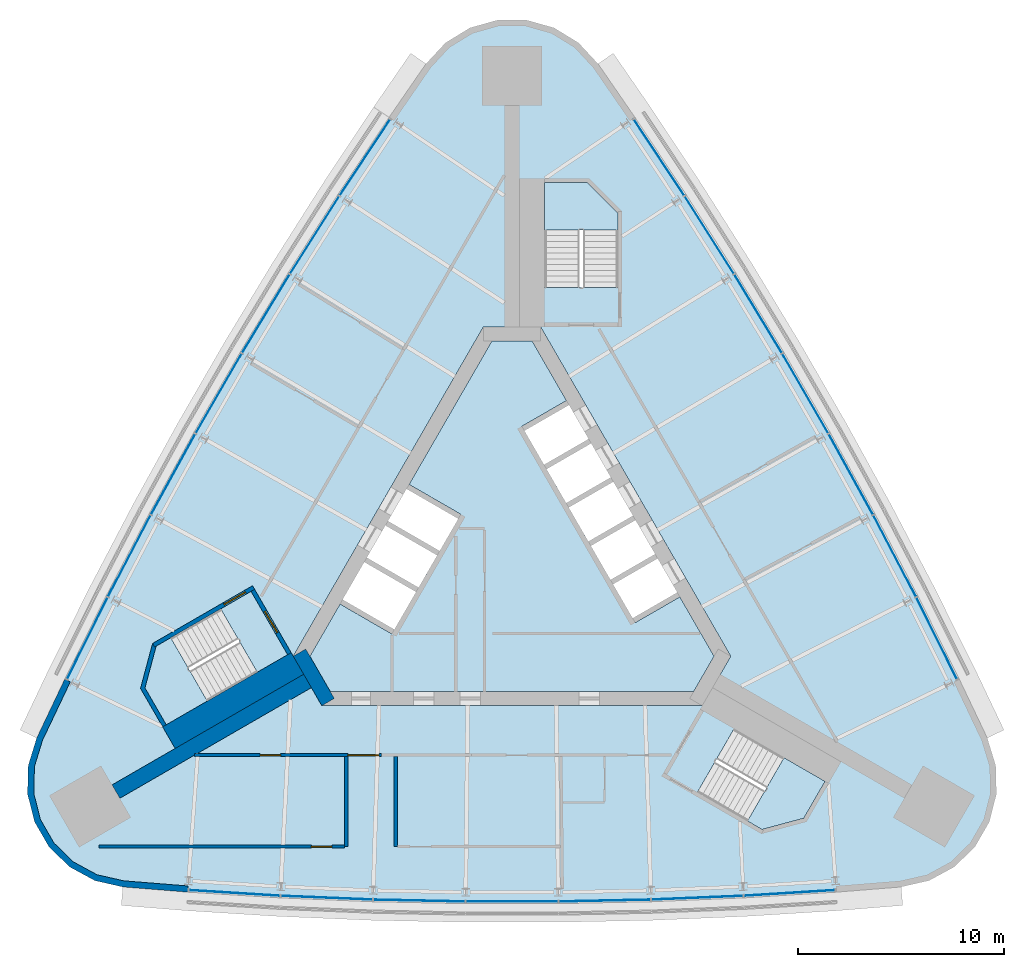
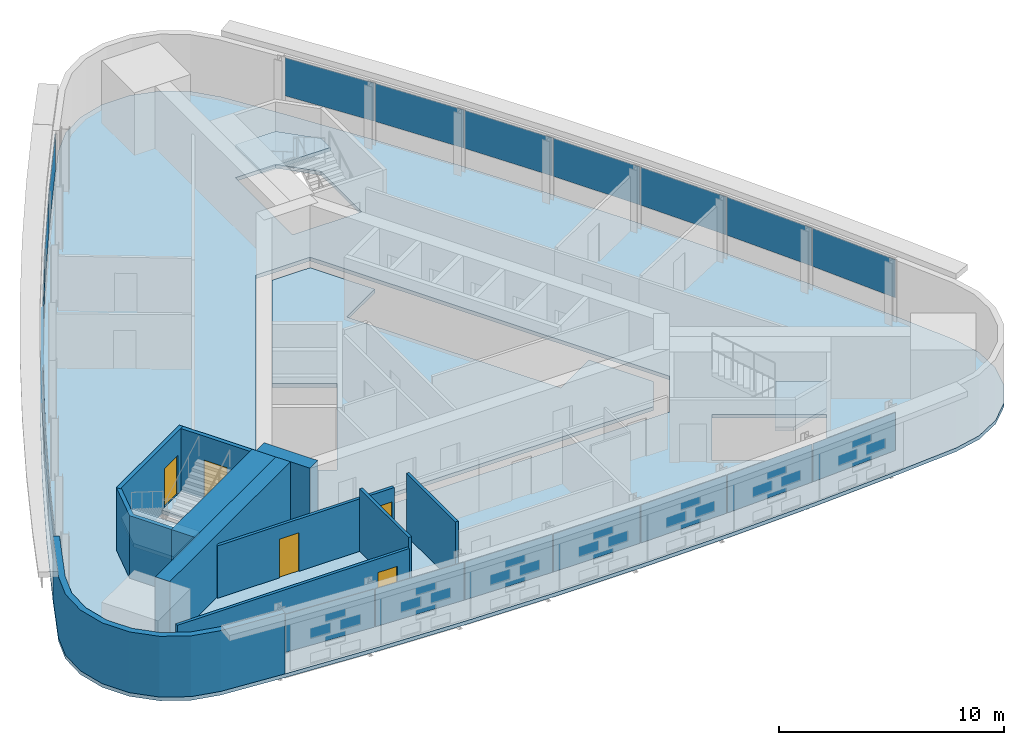
# One storey, part 7 of 12: 21 plates, 11 walls, 5 doors, 5 slabs, 5 openings, 6 elements without a shape of their own.
"""IFC4 building model written with IfcOpenShell, lengths in metres."""

from ifc_helpers import new_model, si_unit, direction, frame, frame_2d, origin, origin_2d, place, context, subcontext, project, spatial, polyline, rectangle, outline, extrude, material, layer, layer_set, type_object, element, fill, aggregate, save


model = new_model("IFC4")

# Units and contexts
model_context = context("Model", 3, precision=1e-05, world=origin(), true_north=direction((0.0, 1.0)))
body_context = subcontext(model_context, "Body", "Model", "MODEL_VIEW")
ifc_project = project(units=[si_unit("LENGTHUNIT", "METRE"), si_unit("AREAUNIT", "SQUARE_METRE"), si_unit("VOLUMEUNIT", "CUBIC_METRE"), si_unit("PLANEANGLEUNIT", "RADIAN"), si_unit("MASSUNIT", "GRAM", prefix="KILO")], contexts=[model_context])

# Site, building, storey
site_placement = place(None, origin())
site = spatial("IfcSite", under=ifc_project, at=site_placement, CompositionType="ELEMENT")
building_placement = place(site_placement, origin())
building = spatial("IfcBuilding", under=site, at=building_placement, Name="Noor Cloister Tower", CompositionType="ELEMENT")
storey_placement = place(building_placement, frame((0.0, 0.0, 154.5)))
storey = spatial("IfcBuildingStorey", under=building, at=storey_placement, Name="L39", CompositionType="ELEMENT", Elevation=154.5)

# Slabs
ifc_material_1 = material(Name="Concrete C40/50", Category="concrete")
ifc_layer_1 = layer(ifc_material_1, 0.199951171875)
ifc_layer_set_1 = layer_set([ifc_layer_1], Name="Core floor slab 200 C40/50")
slab_type_1 = type_object("IfcSlabType", Name="Core floor slab 200 C40/50", PredefinedType="FLOOR", material=ifc_layer_set_1)
slab_1_placement = place(storey_placement, frame((0.0, 0.0, -0.199951171875)))
element("IfcSlab", 1, at=slab_1_placement, inside=storey, type_object=slab_type_1, Name="Core floor L39", PredefinedType="FLOOR", context=body_context, shape_type="SweptSolid", body=[
    extrude(outline(polyline([(2.643798828125, 7.877197265625), (0.9814453125, 10.75634765625), (-0.9814453125, 10.75634765625), (-4.993896484375, 3.806884765625), (-2.482421875, 2.35693359375), (-5.832275390625, -3.4453125), (-8.34375, -1.995361328125), (-9.80615234375, -4.5283203125), (-8.82470703125, -6.228271484375), (8.82470703125, -6.228271484375), (9.80615234375, -4.5283203125), (8.143798828125, -1.64892578125), (5.978759765625, -2.89892578125), (0.478759765625, 6.627197265625), (2.643798828125, 7.877197265625)])), origin(), (0.0, 0.0, 1.0), 0.199951171875),
])
ifc_material_2 = material(Name="Concrete C40/50", Category="concrete")
ifc_layer_2 = layer(ifc_material_2, 0.199951171875)
ifc_layer_set_2 = layer_set([ifc_layer_2], Name="Floor slab 200 C40/50")
slab_type_2 = type_object("IfcSlabType", Name="Floor slab 200 C40/50", PredefinedType="FLOOR", material=ifc_layer_set_2)
slab_2_placement = place(storey_placement, frame((0.0, 0.0, -0.199951171875)))
element("IfcSlab", 2, at=slab_2_placement, inside=storey, type_object=slab_type_2, Name="Floor slab L39", PredefinedType="FLOOR", context=body_context, shape_type="SweptSolid", body=[
    extrude(outline(polyline([(4.174072265625, 24.218505859375), (3.2265625, 25.239990234375), (2.037841796875, 25.966552734375), (0.696533203125, 26.34375), (-0.696533203125, 26.34375), (-2.037841796875, 25.966552734375), (-3.2265625, 25.239990234375), (-4.174072265625, 24.218505859375), (-5.967529296875, 21.615966796875), (-8.455322265625, 17.8662109375), (-10.864990234375, 14.06591796875), (-13.195068359375, 10.21630859375), (-15.445068359375, 6.3193359375), (-17.61376953125, 2.37646484375), (-19.700439453125, -1.610595703125), (-21.703857421875, -5.639892578125), (-23.060791015625, -8.494384765625), (-23.4716796875, -9.82568359375), (-23.506591796875, -11.218505859375), (-23.162841796875, -12.568603515625), (-22.466064453125, -13.775146484375), (-21.46875, -14.748046875), (-20.2451171875, -15.414306640625), (-18.88671875, -15.72412109375), (-15.736083984375, -15.97607421875), (-11.244873046875, -16.255615234375), (-6.7490234375, -16.442138671875), (-2.25, -16.535400390625), (2.25, -16.535400390625), (6.7490234375, -16.442138671875), (11.244873046875, -16.255615234375), (15.736083984375, -15.97607421875), (18.88671875, -15.72412109375), (20.2451171875, -15.414306640625), (21.46875, -14.748046875), (22.466064453125, -13.775146484375), (23.162841796875, -12.568603515625), (23.506591796875, -11.218505859375), (23.4716796875, -9.82568359375), (23.060791015625, -8.494384765625), (21.703857421875, -5.639892578125), (19.700439453125, -1.610595703125), (17.61376953125, 2.37646484375), (15.445068359375, 6.3193359375), (13.195068359375, 10.21630859375), (10.864990234375, 14.06591796875), (8.455322265625, 17.8662109375), (5.967529296875, 21.615966796875), (4.174072265625, 24.218505859375)]), holes=[polyline([(8.999755859375, -11.126220703125), (12.131591796875, -12.934326171875), (14.1572265625, -12.3916015625), (15.19091796875, -10.601318359375), (10.774658203125, -8.0517578125), (8.999755859375, -11.126220703125)]), polyline([(-17.81005859375, -6.064697265625), (-16.776611328125, -7.85498046875), (-12.3603515625, -5.305419921875), (-14.13525390625, -2.23095703125), (-16.662841796875, -3.690185546875), (-17.267333984375, -4.039306640625), (-17.81005859375, -6.064697265625)]), polyline([(-10.6142578125, -4.5283203125), (-9.228759765625, -6.92822265625), (9.228759765625, -6.92822265625), (10.6142578125, -4.5283203125), (1.3857421875, 11.456298828125), (-1.3857421875, 11.456298828125), (-10.6142578125, -4.5283203125)]), polyline([(3.65283203125, 18.456298828125), (1.585693359375, 18.456298828125), (1.585693359375, 13.35693359375), (5.135498046875, 13.35693359375), (5.135498046875, 16.9736328125), (3.65283203125, 18.456298828125)])]), origin(), (0.0, 0.0, 1.0), 0.199951171875),
])

# Curtain wall, plates
ifc_material_3 = material(Name="Aluminium 6063-T6 anodised", Category="aluminium")
curtain_wall_type = type_object("IfcCurtainWallType", Name="Ribbon curtain wall, upper tower CW5", PredefinedType="NOTDEFINED", material=ifc_material_3)
curtain_wall_1_placement = place(storey_placement, origin())
curtain_wall_1 = element("IfcCurtainWall", 3, at=curtain_wall_1_placement, inside=storey, type_object=curtain_wall_type, Name="CW5 L39 NW run 1", PredefinedType="NOTDEFINED")
ifc_material_4 = material(Name="Clear laminated glass 2 x 8 mm", Category="glass")
ifc_layer_3 = layer(ifc_material_4, 0.028076171875)
ifc_layer_set_3 = layer_set([ifc_layer_3], Name="Glass panel CW5")
plate_type = type_object("IfcPlateType", Name="Glass panel CW5", PredefinedType="CURTAIN_PANEL", material=ifc_layer_set_3)
plate_1_placement = place(storey_placement, frame((-7.137451171875, 19.671630859375, 1.08984375), z_axis=(0.0, 0.0, 1.0), x_axis=(-0.552853614998, -0.833278393086, 0.0)))
plate_1 = element("IfcPlate", 4, at=plate_1_placement, type_object=plate_type, Name="CW5 glass panel 1", PredefinedType="CURTAIN_PANEL", context=body_context, shape_type="SweptSolid", body=[
    extrude(rectangle(XDim=4.413818359375, YDim=0.028076171875, at=origin_2d()), origin(), (0.0, 0.0, 1.0), 2.070068359375),
])
plate_2_placement = place(storey_placement, frame((-9.57568359375, 15.91259765625, 1.08984375), z_axis=(0.0, 0.0, 1.0), x_axis=(-0.535463289186, -0.844558503559, 0.0)))
plate_2 = element("IfcPlate", 5, at=plate_2_placement, type_object=plate_type, Name="CW5 glass panel 2", PredefinedType="CURTAIN_PANEL", context=body_context, shape_type="SweptSolid", body=[
    extrude(rectangle(XDim=4.44775390625, YDim=0.028076171875, at=origin_2d()), origin(), (0.0, 0.0, 1.0), 2.070068359375),
])
plate_3_placement = place(storey_placement, frame((-11.944580078125, 12.08935546875, 1.08984375), z_axis=(0.0, 0.0, 1.0), x_axis=(-0.517842893902, -0.855475737374, 0.0)))
plate_3 = element("IfcPlate", 6, at=plate_3_placement, type_object=plate_type, Name="CW5 glass panel 3", PredefinedType="CURTAIN_PANEL", context=body_context, shape_type="SweptSolid", body=[
    extrude(rectangle(XDim=4.44775390625, YDim=0.028076171875, at=origin_2d()), origin(), (0.0, 0.0, 1.0), 2.070068359375),
])
plate_4_placement = place(storey_placement, frame((-14.233642578125, 8.2177734375, 1.08984375), z_axis=(0.0, 0.0, 1.0), x_axis=(-0.5, -0.866025403784, 0.0)))
plate_4 = element("IfcPlate", 7, at=plate_4_placement, type_object=plate_type, Name="CW5 glass panel 4", PredefinedType="CURTAIN_PANEL", context=body_context, shape_type="SweptSolid", body=[
    extrude(rectangle(XDim=4.44775390625, YDim=0.028076171875, at=origin_2d()), origin(), (0.0, 0.0, 1.0), 2.070068359375),
])
plate_5_placement = place(storey_placement, frame((-16.44189453125, 4.299560546875, 1.08984375), z_axis=(0.0, 0.0, 1.0), x_axis=(-0.481942273936, -0.876202969975, 0.0)))
plate_5 = element("IfcPlate", 8, at=plate_5_placement, type_object=plate_type, Name="CW5 glass panel 5", PredefinedType="CURTAIN_PANEL", context=body_context, shape_type="SweptSolid", body=[
    extrude(rectangle(XDim=4.44775390625, YDim=0.028076171875, at=origin_2d()), origin(), (0.0, 0.0, 1.0), 2.070068359375),
])
plate_6_placement = place(storey_placement, frame((-18.568603515625, 0.336669921875, 1.08984375), z_axis=(0.0, 0.0, 1.0), x_axis=(-0.463677474471, -0.886004063009, 0.0)))
plate_6 = element("IfcPlate", 9, at=plate_6_placement, type_object=plate_type, Name="CW5 glass panel 6", PredefinedType="CURTAIN_PANEL", context=body_context, shape_type="SweptSolid", body=[
    extrude(rectangle(XDim=4.44775390625, YDim=0.028076171875, at=origin_2d()), origin(), (0.0, 0.0, 1.0), 2.070068359375),
])
plate_7_placement = place(storey_placement, frame((-20.60498046875, -3.654541015625, 1.08984375), z_axis=(0.0, 0.0, 1.0), x_axis=(-0.445213449338, -0.895424471705, 0.0)))
plate_7 = element("IfcPlate", 10, at=plate_7_placement, type_object=plate_type, Name="CW5 glass panel 7", PredefinedType="CURTAIN_PANEL", context=body_context, shape_type="SweptSolid", body=[
    extrude(rectangle(XDim=4.413818359375, YDim=0.028076171875, at=origin_2d()), origin(), (0.0, 0.0, 1.0), 2.070068359375),
])
aggregate(curtain_wall_1, [plate_1, plate_2, plate_3, plate_4, plate_5, plate_6, plate_7])

curtain_wall_2_placement = place(storey_placement, origin())
curtain_wall_2 = element("IfcCurtainWall", 11, at=curtain_wall_2_placement, inside=storey, type_object=curtain_wall_type, Name="CW5 L39 S run 2", PredefinedType="NOTDEFINED")
plate_8_placement = place(storey_placement, frame((-13.467529296875, -16.01708984375, 1.08984375), z_axis=(0.0, 0.0, 1.0), x_axis=(0.998067064336, -0.06214607862, 0.0)))
plate_8 = element("IfcPlate", 12, at=plate_8_placement, type_object=plate_type, Name="CW5 glass panel 1", PredefinedType="CURTAIN_PANEL", context=body_context, shape_type="SweptSolid", body=[
    extrude(rectangle(XDim=4.413818359375, YDim=0.028076171875, at=origin_2d()), origin(), (0.0, 0.0, 1.0), 2.070068359375),
])
plate_9_placement = place(storey_placement, frame((-8.99267578125, -16.2490234375, 1.08984375), z_axis=(0.0, 0.0, 1.0), x_axis=(0.999140763657, -0.04144555945, 0.0)))
plate_9 = element("IfcPlate", 13, at=plate_9_placement, type_object=plate_type, Name="CW5 glass panel 2", PredefinedType="CURTAIN_PANEL", context=body_context, shape_type="SweptSolid", body=[
    extrude(rectangle(XDim=4.44775390625, YDim=0.028076171875, at=origin_2d()), origin(), (0.0, 0.0, 1.0), 2.070068359375),
])
plate_10_placement = place(storey_placement, frame((-4.497314453125, -16.388916015625, 1.08984375), z_axis=(0.0, 0.0, 1.0), x_axis=(0.999785167838, -0.020727232601, 0.0)))
plate_10 = element("IfcPlate", 14, at=plate_10_placement, type_object=plate_type, Name="CW5 glass panel 3", PredefinedType="CURTAIN_PANEL", context=body_context, shape_type="SweptSolid", body=[
    extrude(rectangle(XDim=4.44775390625, YDim=0.028076171875, at=origin_2d()), origin(), (0.0, 0.0, 1.0), 2.070068359375),
])
plate_11_placement = place(storey_placement, frame((0.0, -16.435546875, 1.08984375), z_axis=(0.0, 0.0, 1.0), x_axis=(1.0, 0.0, 0.0)))
plate_11 = element("IfcPlate", 15, at=plate_11_placement, type_object=plate_type, Name="CW5 glass panel 4", PredefinedType="CURTAIN_PANEL", context=body_context, shape_type="SweptSolid", body=[
    extrude(rectangle(XDim=4.44775390625, YDim=0.028076171875, at=origin_2d()), origin(), (0.0, 0.0, 1.0), 2.070068359375),
])
plate_12_placement = place(storey_placement, frame((4.497314453125, -16.388916015625, 1.08984375), z_axis=(0.0, 0.0, 1.0), x_axis=(0.999785167838, 0.020727232601, 0.0)))
plate_12 = element("IfcPlate", 16, at=plate_12_placement, type_object=plate_type, Name="CW5 glass panel 5", PredefinedType="CURTAIN_PANEL", context=body_context, shape_type="SweptSolid", body=[
    extrude(rectangle(XDim=4.44775390625, YDim=0.028076171875, at=origin_2d()), origin(), (0.0, 0.0, 1.0), 2.070068359375),
])
plate_13_placement = place(storey_placement, frame((8.99267578125, -16.2490234375, 1.08984375), z_axis=(0.0, 0.0, 1.0), x_axis=(0.999140763657, 0.04144555945, 0.0)))
plate_13 = element("IfcPlate", 17, at=plate_13_placement, type_object=plate_type, Name="CW5 glass panel 6", PredefinedType="CURTAIN_PANEL", context=body_context, shape_type="SweptSolid", body=[
    extrude(rectangle(XDim=4.44775390625, YDim=0.028076171875, at=origin_2d()), origin(), (0.0, 0.0, 1.0), 2.070068359375),
])
plate_14_placement = place(storey_placement, frame((13.467529296875, -16.01708984375, 1.08984375), z_axis=(0.0, 0.0, 1.0), x_axis=(0.998067064336, 0.06214607862, 0.0)))
plate_14 = element("IfcPlate", 18, at=plate_14_placement, type_object=plate_type, Name="CW5 glass panel 7", PredefinedType="CURTAIN_PANEL", context=body_context, shape_type="SweptSolid", body=[
    extrude(rectangle(XDim=4.413818359375, YDim=0.028076171875, at=origin_2d()), origin(), (0.0, 0.0, 1.0), 2.070068359375),
])
aggregate(curtain_wall_2, [plate_8, plate_9, plate_10, plate_11, plate_12, plate_13, plate_14])

curtain_wall_3_placement = place(storey_placement, origin())
curtain_wall_3 = element("IfcCurtainWall", 19, at=curtain_wall_3_placement, inside=storey, type_object=curtain_wall_type, Name="CW5 L39 NE run 3", PredefinedType="NOTDEFINED")
plate_15_placement = place(storey_placement, frame((20.60498046875, -3.654541015625, 1.08984375), z_axis=(0.0, 0.0, 1.0), x_axis=(-0.445213449338, 0.895424471705, 0.0)))
plate_15 = element("IfcPlate", 20, at=plate_15_placement, type_object=plate_type, Name="CW5 glass panel 1", PredefinedType="CURTAIN_PANEL", context=body_context, shape_type="SweptSolid", body=[
    extrude(rectangle(XDim=4.413818359375, YDim=0.028076171875, at=origin_2d()), origin(), (0.0, 0.0, 1.0), 2.070068359375),
])
plate_16_placement = place(storey_placement, frame((18.568603515625, 0.336669921875, 1.08984375), z_axis=(0.0, 0.0, 1.0), x_axis=(-0.463677474471, 0.886004063009, 0.0)))
plate_16 = element("IfcPlate", 21, at=plate_16_placement, type_object=plate_type, Name="CW5 glass panel 2", PredefinedType="CURTAIN_PANEL", context=body_context, shape_type="SweptSolid", body=[
    extrude(rectangle(XDim=4.44775390625, YDim=0.028076171875, at=origin_2d()), origin(), (0.0, 0.0, 1.0), 2.070068359375),
])
plate_17_placement = place(storey_placement, frame((16.44189453125, 4.299560546875, 1.08984375), z_axis=(0.0, 0.0, 1.0), x_axis=(-0.481942273936, 0.876202969975, 0.0)))
plate_17 = element("IfcPlate", 22, at=plate_17_placement, type_object=plate_type, Name="CW5 glass panel 3", PredefinedType="CURTAIN_PANEL", context=body_context, shape_type="SweptSolid", body=[
    extrude(rectangle(XDim=4.44775390625, YDim=0.028076171875, at=origin_2d()), origin(), (0.0, 0.0, 1.0), 2.070068359375),
])
plate_18_placement = place(storey_placement, frame((14.233642578125, 8.2177734375, 1.08984375), z_axis=(0.0, 0.0, 1.0), x_axis=(-0.5, 0.866025403784, 0.0)))
plate_18 = element("IfcPlate", 23, at=plate_18_placement, type_object=plate_type, Name="CW5 glass panel 4", PredefinedType="CURTAIN_PANEL", context=body_context, shape_type="SweptSolid", body=[
    extrude(rectangle(XDim=4.44775390625, YDim=0.028076171875, at=origin_2d()), origin(), (0.0, 0.0, 1.0), 2.070068359375),
])
plate_19_placement = place(storey_placement, frame((11.944580078125, 12.08935546875, 1.08984375), z_axis=(0.0, 0.0, 1.0), x_axis=(-0.517842893902, 0.855475737374, 0.0)))
plate_19 = element("IfcPlate", 24, at=plate_19_placement, type_object=plate_type, Name="CW5 glass panel 5", PredefinedType="CURTAIN_PANEL", context=body_context, shape_type="SweptSolid", body=[
    extrude(rectangle(XDim=4.44775390625, YDim=0.028076171875, at=origin_2d()), origin(), (0.0, 0.0, 1.0), 2.070068359375),
])
plate_20_placement = place(storey_placement, frame((9.57568359375, 15.91259765625, 1.08984375), z_axis=(0.0, 0.0, 1.0), x_axis=(-0.535463289186, 0.844558503559, 0.0)))
plate_20 = element("IfcPlate", 25, at=plate_20_placement, type_object=plate_type, Name="CW5 glass panel 6", PredefinedType="CURTAIN_PANEL", context=body_context, shape_type="SweptSolid", body=[
    extrude(rectangle(XDim=4.44775390625, YDim=0.028076171875, at=origin_2d()), origin(), (0.0, 0.0, 1.0), 2.070068359375),
])
plate_21_placement = place(storey_placement, frame((7.137451171875, 19.671630859375, 1.08984375), z_axis=(0.0, 0.0, 1.0), x_axis=(-0.552853614998, 0.833278393086, 0.0)))
plate_21 = element("IfcPlate", 26, at=plate_21_placement, type_object=plate_type, Name="CW5 glass panel 7", PredefinedType="CURTAIN_PANEL", context=body_context, shape_type="SweptSolid", body=[
    extrude(rectangle(XDim=4.413818359375, YDim=0.028076171875, at=origin_2d()), origin(), (0.0, 0.0, 1.0), 2.070068359375),
])
aggregate(curtain_wall_3, [plate_15, plate_16, plate_17, plate_18, plate_19, plate_20, plate_21])

# Stair, slab
ifc_material_5 = material(Name="Concrete C40/50", Category="concrete")
stair_type = type_object("IfcStairType", Name="Exit stair 22 risers", PredefinedType="HALF_TURN_STAIR", material=ifc_material_5)
stair_1_placement = place(storey_placement, origin())
stair_1 = element("IfcStair", 27, at=stair_1_placement, inside=storey, type_object=stair_type, Name="Exit stair ST1 L39", PredefinedType="HALF_TURN_STAIR")
ifc_material_6 = material(Name="Concrete C40/50", Category="concrete")
ifc_layer_4 = layer(ifc_material_6, 0.199951171875)
ifc_layer_set_4 = layer_set([ifc_layer_4], Name="Stair landing 200 C40/50")
slab_type_3 = type_object("IfcSlabType", Name="Stair landing 200 C40/50", PredefinedType="LANDING", material=ifc_layer_set_4)
slab_3_placement = place(storey_placement, frame((0.0, 0.0, 1.60009765625)))
slab_3 = element("IfcSlab", 28, at=slab_3_placement, type_object=slab_type_3, Name="ST1 landing 1", PredefinedType="LANDING", context=body_context, shape_type="SweptSolid", body=[
    extrude(outline(polyline([(5.135498046875, 16.15576171875), (5.135498046875, 16.9736328125), (3.65283203125, 18.456298828125), (1.585693359375, 18.456298828125), (1.585693359375, 16.15576171875), (5.135498046875, 16.15576171875)])), origin(), (0.0, 0.0, 1.0), 0.199951171875),
])
aggregate(stair_1, [slab_3])

stair_2_placement = place(storey_placement, origin())
stair_2 = element("IfcStair", 29, at=stair_2_placement, inside=storey, type_object=stair_type, Name="Exit stair ST2 L39", PredefinedType="HALF_TURN_STAIR")
slab_4_placement = place(storey_placement, frame((0.0, 0.0, 1.60009765625)))
slab_4 = element("IfcSlab", 30, at=slab_4_placement, type_object=slab_type_3, Name="ST2 landing 1", PredefinedType="LANDING", context=body_context, shape_type="SweptSolid", body=[
    extrude(outline(polyline([(-16.55908203125, -3.63037109375), (-17.267333984375, -4.039306640625), (-17.81005859375, -6.064697265625), (-16.776611328125, -7.85498046875), (-14.7841796875, -6.70458984375), (-16.55908203125, -3.63037109375)])), origin(), (0.0, 0.0, 1.0), 0.199951171875),
])
aggregate(stair_2, [slab_4])

stair_3_placement = place(storey_placement, origin())
stair_3 = element("IfcStair", 31, at=stair_3_placement, inside=storey, type_object=stair_type, Name="Exit stair ST3 L39", PredefinedType="HALF_TURN_STAIR")
slab_5_placement = place(storey_placement, frame((0.0, 0.0, 1.60009765625)))
slab_5 = element("IfcSlab", 32, at=slab_5_placement, type_object=slab_type_3, Name="ST3 landing 1", PredefinedType="LANDING", context=body_context, shape_type="SweptSolid", body=[
    extrude(outline(polyline([(11.423583984375, -12.525390625), (12.131591796875, -12.934326171875), (14.1572265625, -12.3916015625), (15.19091796875, -10.601318359375), (13.198486328125, -9.451171875), (11.423583984375, -12.525390625)])), origin(), (0.0, 0.0, 1.0), 0.199951171875),
])
aggregate(stair_3, [slab_5])

# Walls
ifc_material_7 = material(Name="Concrete C70/85", Category="concrete")
ifc_layer_5 = layer(ifc_material_7, 0.75)
ifc_layer_set_5 = layer_set([ifc_layer_5], Name="Buttress wall 750 C70/85")
wall_type_1 = type_object("IfcWallType", Name="Buttress wall 750 C70/85", PredefinedType="SHEAR", material=ifc_layer_set_5)
wall_1_placement = place(storey_placement, frame((-9.921630859375, -5.728271484375, -0.199951171875), z_axis=(0.0, 0.0, 1.0), x_axis=(-0.86602614826, -0.499998710529, 0.0)))
element("IfcWall", 33, at=wall_1_placement, inside=storey, type_object=wall_type_1, Name="Buttress wall SW L39", PredefinedType="SHEAR", context=body_context, shape_type="SweptSolid", body=[
    extrude(rectangle(XDim=10.7353515625, YDim=0.75, at=frame_2d((5.36767578125, 0.0))), origin(), (0.0, 0.0, 1.0), 3.599853515625),
])
ifc_material_8 = material(Name="Concrete C70/85", Category="concrete")
ifc_layer_6 = layer(ifc_material_8, 0.699951171875)
ifc_layer_set_6 = layer_set([ifc_layer_6], Name="Core wall 700 C70/85")
wall_type_2 = type_object("IfcWallType", Name="Core wall 700 C70/85", PredefinedType="SHEAR", material=ifc_layer_set_6)
wall_2_placement = place(storey_placement, frame((-10.311279296875, -4.353271484375, -0.199951171875), z_axis=(0.0, 0.0, 1.0), x_axis=(0.500042739161, -0.866000726912, 0.0)))
element("IfcWall", 34, at=wall_2_placement, inside=storey, type_object=wall_type_2, Name="Core wall L39 6", PredefinedType="SHEAR", context=body_context, shape_type="SweptSolid", body=[
    extrude(rectangle(XDim=2.771240234375, YDim=0.699951171875, at=frame_2d((1.3857421875, 0.0))), origin(), (0.0, 0.0, 1.0), 3.599853515625),
])

# Wall, openings, doors
ifc_material_9 = material(Name="Gypsum board partition on steel studs, 150 mm", Category="steel")
ifc_layer_7 = layer(ifc_material_9, 0.14990234375)
ifc_layer_set_7 = layer_set([ifc_layer_7], Name="Flat wall 150")
wall_type_3 = type_object("IfcWallType", Name="Flat wall 150", PredefinedType="PARTITIONING", material=ifc_layer_set_7)
wall_3_placement = place(storey_placement, frame((-15.406982421875, -9.328125, 0.0), z_axis=(0.0, 0.0, 1.0), x_axis=(1.0, 0.0, 0.0)))
wall_3 = element("IfcWall", 35, at=wall_3_placement, inside=storey, type_object=wall_type_3, Name="Wall L39-W06", PredefinedType="PARTITIONING", context=body_context, shape_type="SweptSolid", body=[
    extrude(rectangle(XDim=9.079345703125, YDim=0.14990234375, at=frame_2d((4.53955078125, 0.0))), origin(), (0.0, 0.0, 1.0), 2.846923828125),
])
opening_1_placement = place(wall_3_placement, frame((7.44775390625, 0.0, 0.0)))
opening_1 = element("IfcOpeningElement", 36, at=opening_1_placement, cuts=wall_3, Name="Opening L39-004", PredefinedType="OPENING", context=body_context, shape_type="SweptSolid", body=[
    extrude(rectangle(XDim=1.5, YDim=2.10009765625, at=frame_2d((0.75, 1.050048828125))), frame((0.0, 0.0849609375, 0.0), z_axis=(0.0, -1.0, 0.0), x_axis=(1.0, 0.0, 0.0)), (0.0, 0.0, 1.0), 0.169921875),
])
opening_2_placement = place(wall_3_placement, frame((3.18310546875, 0.0, 0.0)))
opening_2 = element("IfcOpeningElement", 37, at=opening_2_placement, cuts=wall_3, Name="Opening L39-006", PredefinedType="OPENING", context=body_context, shape_type="SweptSolid", body=[
    extrude(rectangle(XDim=1.0, YDim=2.10009765625, at=frame_2d((0.5, 1.050048828125))), frame((0.0, 0.0849609375, 0.0), z_axis=(0.0, -1.0, 0.0), x_axis=(1.0, 0.0, 0.0)), (0.0, 0.0, 1.0), 0.169921875),
])
ifc_material_10 = material(Name="Timber door leaf with steel frame", Category="steel")
door_type_1 = type_object("IfcDoorType", Name="Double door 1500 FD60", OperationType="NOTDEFINED", PredefinedType="DOOR", material=ifc_material_10)
door_1_placement = place(opening_1_placement, origin())
door_1 = element("IfcDoor", 38, at=door_1_placement, inside=storey, type_object=door_type_1, Name="Door L39-004", OperationType="DOUBLE_DOOR_SINGLE_SWING", OverallHeight=2.10009765625, OverallWidth=1.5, PredefinedType="DOOR", context=body_context, shape_type="SweptSolid", body=[
    extrude(rectangle(XDim=1.5, YDim=2.10009765625, at=frame_2d((0.75, 1.050048828125))), frame((0.0, 0.02490234375, 0.0), z_axis=(0.0, -1.0, 0.0), x_axis=(1.0, 0.0, 0.0)), (0.0, 0.0, 1.0), 0.050048828125),
])
fill(opening_1, door_1)
ifc_material_11 = material(Name="Timber door leaf with steel frame", Category="steel")
door_type_2 = type_object("IfcDoorType", Name="Interior door 1000 FD60", OperationType="NOTDEFINED", PredefinedType="DOOR", material=ifc_material_11)
door_2_placement = place(opening_2_placement, origin())
door_2 = element("IfcDoor", 39, at=door_2_placement, inside=storey, type_object=door_type_2, Name="Door L39-006", OperationType="SINGLE_SWING_RIGHT", OverallHeight=2.10009765625, OverallWidth=1.0, PredefinedType="DOOR", context=body_context, shape_type="SweptSolid", body=[
    extrude(rectangle(XDim=1.0, YDim=2.10009765625, at=frame_2d((0.5, 1.050048828125))), frame((0.0, 0.02490234375, 0.0), z_axis=(0.0, -1.0, 0.0), x_axis=(1.0, 0.0, 0.0)), (0.0, 0.0, 1.0), 0.050048828125),
])
fill(opening_2, door_2)

# Walls
for number, where, z_axis, x_axis, name in (
    (40, (-8.040771484375, -9.4033203125, 0.0), (0.0, 0.0, 1.0), (0.0, -1.0, 0.0), "Wall L39-W10"),
    (41, (-5.640869140625, -9.4033203125, 0.0), (0.0, 0.0, 1.0), (0.0, -1.0, 0.0), "Wall L39-W11"),
):
    element("IfcWall", number, at=place(storey_placement, frame(where, z_axis=z_axis, x_axis=x_axis)), inside=storey, type_object=wall_type_3, Name=name, PredefinedType="PARTITIONING", context=body_context, shape_type="SweptSolid", body=[
        extrude(rectangle(XDim=4.36279296875, YDim=0.14990234375, at=frame_2d((2.181396484375, 0.0))), origin(), (0.0, 0.0, 1.0), 3.39990234375),
    ])

# Wall, opening, door
wall_4_placement = place(storey_placement, frame((-20.04345703125, -13.76611328125, 0.0), z_axis=(0.0, 0.0, 1.0), x_axis=(1.0, 0.0, 0.0)))
wall_4 = element("IfcWall", 42, at=wall_4_placement, inside=storey, type_object=wall_type_3, Name="Wall L39-W12", PredefinedType="PARTITIONING", context=body_context, shape_type="SweptSolid", body=[
    extrude(rectangle(XDim=11.927490234375, YDim=0.14990234375, at=frame_2d((5.9638671875, 0.0))), origin(), (0.0, 0.0, 1.0), 2.846923828125),
])
opening_3_placement = place(wall_4_placement, frame((10.302734375, 0.0, 0.0)))
opening_3 = element("IfcOpeningElement", 43, at=opening_3_placement, cuts=wall_4, Name="Opening L39-005", PredefinedType="OPENING", context=body_context, shape_type="SweptSolid", body=[
    extrude(rectangle(XDim=1.0, YDim=2.10009765625, at=frame_2d((0.5, 1.050048828125))), frame((0.0, 0.0849609375, 0.0), z_axis=(0.0, -1.0, 0.0), x_axis=(1.0, 0.0, 0.0)), (0.0, 0.0, 1.0), 0.169921875),
])
door_3_placement = place(opening_3_placement, origin())
door_3 = element("IfcDoor", 44, at=door_3_placement, inside=storey, type_object=door_type_2, Name="Door L39-005", OperationType="SINGLE_SWING_LEFT", OverallHeight=2.10009765625, OverallWidth=1.0, PredefinedType="DOOR", context=body_context, shape_type="SweptSolid", body=[
    extrude(rectangle(XDim=1.0, YDim=2.10009765625, at=frame_2d((0.5, 1.050048828125))), frame((0.0, 0.02490234375, 0.0), z_axis=(0.0, -1.0, 0.0), x_axis=(1.0, 0.0, 0.0)), (0.0, 0.0, 1.0), 0.050048828125),
])
fill(opening_3, door_3)

# Walls
ifc_material_12 = material(Name="Limestone", Category="masonry")
ifc_layer_8 = layer(ifc_material_12, 0.300048828125)
ifc_layer_set_8 = layer_set([ifc_layer_8], Name="Limestone cladding 300")
wall_type_4 = type_object("IfcWallType", Name="Limestone cladding 300", PredefinedType="NOTDEFINED", material=ifc_layer_set_8)
wall_5_placement = place(storey_placement, origin())
element("IfcWall", 45, at=wall_5_placement, inside=storey, type_object=wall_type_4, Name="Limestone pier cladding L39 1.1", PredefinedType="NOTDEFINED", context=body_context, shape_type="SweptSolid", body=[
    extrude(outline(polyline([(-21.703857421875, -5.639892578125), (-23.060791015625, -8.494384765625), (-23.4716796875, -9.82568359375), (-23.506591796875, -11.218505859375), (-23.162841796875, -12.568603515625), (-22.466064453125, -13.775146484375), (-21.46875, -14.748046875), (-20.2451171875, -15.414306640625), (-18.88671875, -15.72412109375), (-15.736083984375, -15.97607421875), (-15.712158203125, -15.677001953125), (-18.84130859375, -15.4267578125), (-20.137939453125, -15.130859375), (-21.288818359375, -14.50439453125), (-22.22705078125, -13.58935546875), (-22.88232421875, -12.45458984375), (-23.20556640625, -11.1845703125), (-23.1728515625, -9.87451171875), (-22.780517578125, -8.603515625), (-21.432861328125, -5.768798828125), (-21.703857421875, -5.639892578125)])), origin(), (0.0, 0.0, 1.0), 3.300048828125),
])
ifc_material_13 = material(Name="Concrete C70/85", Category="concrete")
ifc_layer_9 = layer(ifc_material_13, 1.2109375)
ifc_layer_set_9 = layer_set([ifc_layer_9], Name="Stair enclosure wall 1211 C70/85")
wall_type_5 = type_object("IfcWallType", Name="Stair enclosure wall 1211 C70/85", PredefinedType="SHEAR", material=ifc_layer_set_9)
wall_6_placement = place(storey_placement, frame((-10.41162109375, -4.879150390625, -0.199951171875), z_axis=(0.0, 0.0, 1.0), x_axis=(-0.866026919366, -0.499997374926, 0.0)))
element("IfcWall", 46, at=wall_6_placement, inside=storey, type_object=wall_type_5, Name="Stair enclosure wall ST2 L39 riser side", PredefinedType="SHEAR", context=body_context, shape_type="SweptSolid", body=[
    extrude(rectangle(XDim=7.2001953125, YDim=1.210693359375, at=frame_2d((3.60009765625, 0.0))), origin(), (0.0, 0.0, 1.0), 3.599853515625),
])

# Wall, opening, door
ifc_material_14 = material(Name="Concrete C70/85", Category="concrete")
ifc_layer_10 = layer(ifc_material_14, 0.199951171875)
ifc_layer_set_10 = layer_set([ifc_layer_10], Name="Stair enclosure wall 200 C70/85")
wall_type_6 = type_object("IfcWallType", Name="Stair enclosure wall 200 C70/85", PredefinedType="SHEAR", material=ifc_layer_set_10)
wall_7_placement = place(storey_placement, frame((-12.575927734375, -1.33056640625, -0.199951171875), z_axis=(0.0, 0.0, 1.0), x_axis=(0.499970499736, -0.8660424351, 0.0)))
wall_7 = element("IfcWall", 47, at=wall_7_placement, inside=storey, type_object=wall_type_6, Name="Stair enclosure wall ST2 L39 near end", PredefinedType="SHEAR", context=body_context, shape_type="SweptSolid", body=[
    extrude(rectangle(XDim=3.550048828125, YDim=0.199951171875, at=frame_2d((1.77490234375, 0.0))), origin(), (0.0, 0.0, 1.0), 3.599853515625),
])
opening_4_placement = place(wall_7_placement, frame((1.175048828125, 0.0, 0.199951171875)))
opening_4 = element("IfcOpeningElement", 48, at=opening_4_placement, cuts=wall_7, Name="Opening L39-ST2L", PredefinedType="OPENING", context=body_context, shape_type="SweptSolid", body=[
    extrude(rectangle(XDim=1.199951171875, YDim=2.10009765625, at=frame_2d((0.60009765625, 1.050048828125))), frame((0.0, 0.10986328125, 0.0), z_axis=(0.0, -1.0, 0.0), x_axis=(1.0, 0.0, 0.0)), (0.0, 0.0, 1.0), 0.219970703125),
])
ifc_material_15 = material(Name="Steel", Category="steel")
door_type_3 = type_object("IfcDoorType", Name="Stair door 1200 x 2100 FD120", OperationType="SINGLE_SWING_LEFT", PredefinedType="DOOR", material=ifc_material_15)
door_4_placement = place(opening_4_placement, origin())
door_4 = element("IfcDoor", 49, at=door_4_placement, inside=storey, type_object=door_type_3, Name="Stair door ST2 L39", OperationType="SINGLE_SWING_RIGHT", OverallHeight=2.10009765625, OverallWidth=1.199951171875, PredefinedType="DOOR", context=body_context, shape_type="SweptSolid", body=[
    extrude(rectangle(XDim=1.199951171875, YDim=2.10009765625, at=frame_2d((0.60009765625, 1.050048828125))), frame((0.0, 0.02490234375, 0.0), z_axis=(0.0, -1.0, 0.0), x_axis=(1.0, 0.0, 0.0)), (0.0, 0.0, 1.0), 0.050048828125),
])
fill(opening_4, door_4)

wall_8_placement = place(storey_placement, frame((-12.539306640625, -1.194091796875, -0.199951171875), z_axis=(0.0, 0.0, 1.0), x_axis=(-0.866045472092, -0.499965239061, 0.0)))
wall_8 = element("IfcWall", 50, at=wall_8_placement, inside=storey, type_object=wall_type_6, Name="Stair enclosure wall ST2 L39 outer side", PredefinedType="SHEAR", context=body_context, shape_type="SweptSolid", body=[
    extrude(rectangle(XDim=5.60009765625, YDim=0.199951171875, at=frame_2d((2.800048828125, 0.0))), origin(), (0.0, 0.0, 1.0), 3.599853515625),
])
opening_5_placement = place(wall_8_placement, frame((0.449951171875, 0.0, 0.199951171875)))
opening_5 = element("IfcOpeningElement", 51, at=opening_5_placement, cuts=wall_8, Name="Opening L39-ST2C", PredefinedType="OPENING", context=body_context, shape_type="SweptSolid", body=[
    extrude(rectangle(XDim=1.199951171875, YDim=2.10009765625, at=frame_2d((0.60009765625, 1.050048828125))), frame((0.0, 0.10986328125, 0.0), z_axis=(0.0, -1.0, 0.0), x_axis=(1.0, 0.0, 0.0)), (0.0, 0.0, 1.0), 0.219970703125),
])
door_5_placement = place(opening_5_placement, origin())
door_5 = element("IfcDoor", 52, at=door_5_placement, inside=storey, type_object=door_type_3, Name="Stair door ST2 L39", OperationType="SINGLE_SWING_LEFT", OverallHeight=2.10009765625, OverallWidth=1.199951171875, PredefinedType="DOOR", context=body_context, shape_type="SweptSolid", body=[
    extrude(rectangle(XDim=1.199951171875, YDim=2.10009765625, at=frame_2d((0.60009765625, 1.050048828125))), frame((0.0, 0.02490234375, 0.0), z_axis=(0.0, -1.0, 0.0), x_axis=(1.0, 0.0, 0.0)), (0.0, 0.0, 1.0), 0.050048828125),
])
fill(opening_5, door_5)

# Wall
ifc_material_16 = material(Name="Concrete C70/85", Category="concrete")
wall_type_7 = type_object("IfcWallType", Name="Stair far end wall C70/85", PredefinedType="SHEAR", material=ifc_material_16)
wall_9_placement = place(storey_placement, frame((0.0, 0.0, -0.199951171875)))
element("IfcWall", 53, at=wall_9_placement, inside=storey, type_object=wall_type_7, Name="Stair enclosure wall ST2 L39 far end", PredefinedType="SHEAR", context=body_context, shape_type="SweptSolid", body=[
    extrude(outline(polyline([(-17.439208984375, -3.907470703125), (-18.024658203125, -6.093017578125), (-16.94970703125, -7.955078125), (-16.776611328125, -7.85498046875), (-17.81005859375, -6.064697265625), (-17.267333984375, -4.039306640625), (-17.339111328125, -4.08056640625), (-17.339111328125, -4.08056640625), (-17.339111328125, -4.08056640625), (-17.339111328125, -4.08056640625), (-17.339111328125, -4.08056640625), (-17.339111328125, -4.08056640625), (-17.339111328125, -4.08056640625), (-17.339111328125, -4.08056640625), (-17.339111328125, -4.08056640625), (-17.339111328125, -4.08056640625), (-17.339111328125, -4.08056640625), (-17.339111328125, -4.08056640625), (-17.339111328125, -4.08056640625), (-17.339111328125, -4.08056640625), (-17.339111328125, -4.08056640625), (-17.339111328125, -4.08056640625), (-17.339111328125, -4.08056640625), (-17.439208984375, -3.907470703125)])), origin(), (0.0, 0.0, 1.0), 3.599853515625),
])

save(model, "model.ifc")
